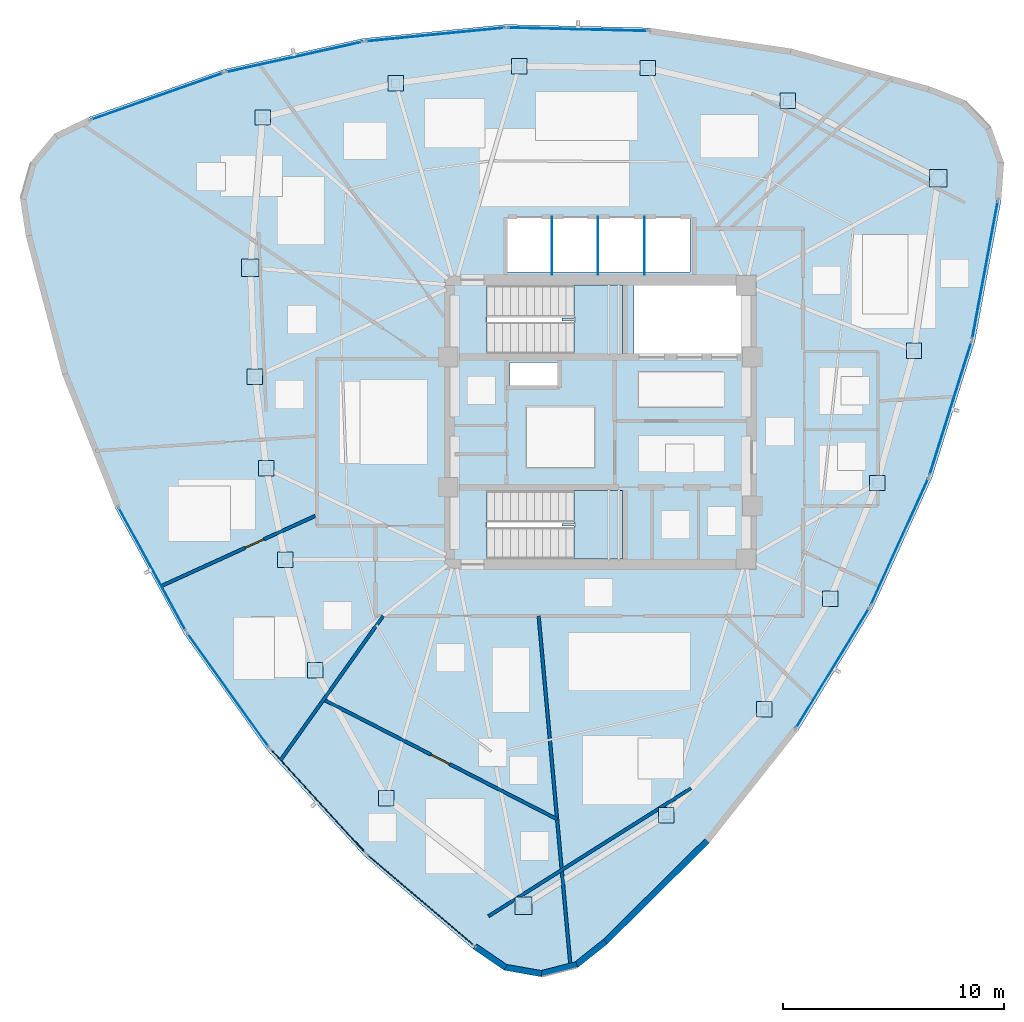
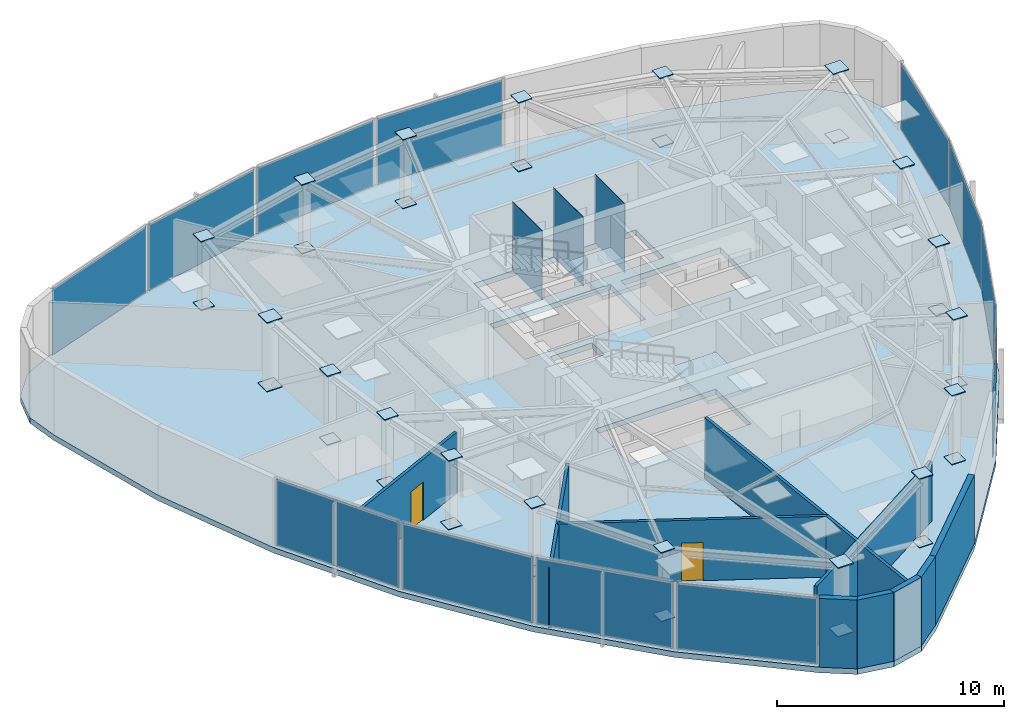
# One storey, part 7 of 13: 51 plates, 10 walls, 3 slabs, 2 doors, 2 openings, 14 elements without a shape of their own.
"""IFC4 building model written with IfcOpenShell, lengths in metres."""

from ifc_helpers import new_model, si_unit, direction, frame, frame_2d, origin, origin_2d, place, context, subcontext, project, spatial, polyline, rectangle, outline, extrude, source, transform, mapped, material, layer, layer_set, type_object, type_shapes, element, fill, aggregate, save


model = new_model("IFC4")

# Units and contexts
model_context = context("Model", 3, precision=1e-05, world=origin(), true_north=direction((0.0, 1.0)))
body_context = subcontext(model_context, "Body", "Model", "MODEL_VIEW")
ifc_project = project(units=[si_unit("LENGTHUNIT", "METRE"), si_unit("AREAUNIT", "SQUARE_METRE"), si_unit("VOLUMEUNIT", "CUBIC_METRE"), si_unit("PLANEANGLEUNIT", "RADIAN"), si_unit("MASSUNIT", "GRAM", prefix="KILO")], contexts=[model_context])

# Site, building, storey
site_placement = place(None, origin())
site = spatial("IfcSite", under=ifc_project, at=site_placement, CompositionType="ELEMENT")
building_placement = place(site_placement, origin())
building = spatial("IfcBuilding", under=site, at=building_placement, Name="Tavelor Broadcast Tower", CompositionType="ELEMENT")
storey_placement = place(building_placement, frame((0.0, 0.0, 305.5)))
storey = spatial("IfcBuildingStorey", under=building, at=storey_placement, Name="L73", CompositionType="ELEMENT", Elevation=305.5)

# Stair, slab
ifc_material_1 = material(Name="Concrete C40/50", Category="concrete")
stair_type = type_object("IfcStairType", Name="Reinforced Concrete Protected Dogleg Stair 1450 mm", PredefinedType="HALF_TURN_STAIR", material=ifc_material_1)
stair_1_placement = place(storey_placement, origin())
stair_1 = element("IfcStair", 1, at=stair_1_placement, inside=storey, type_object=stair_type, Name="L73 Protected Core Exit Stair ST1", PredefinedType="HALF_TURN_STAIR")
ifc_layer_1 = layer(ifc_material_1, 0.199951171875)
ifc_layer_set_1 = layer_set([ifc_layer_1], Name="Concrete C40/50")
slab_type_1 = type_object("IfcSlabType", Name="Reinforced Concrete Stair Half-Landing Slab 200 mm", PredefinedType="LANDING", material=ifc_layer_set_1)
slab_1_placement = place(storey_placement, frame((0.0, 0.0, 1.800048828125)))
slab_1 = element("IfcSlab", 2, at=slab_1_placement, type_object=slab_type_1, Name="ST1 landing 1", PredefinedType="LANDING", context=body_context, shape_type="SweptSolid", body=[
    extrude(outline(polyline([(48.804931640625, 49.590087890625), (48.804931640625, 48.094970703125), (51.0048828125, 48.094970703125), (51.0048828125, 51.205078125), (48.804931640625, 51.205078125), (48.804931640625, 49.7099609375), (48.264892578125, 49.7099609375), (48.264892578125, 49.590087890625), (48.804931640625, 49.590087890625)])), origin(), (0.0, 0.0, 1.0), 0.199951171875),
])
aggregate(stair_1, [slab_1])

stair_2_placement = place(storey_placement, origin())
stair_2 = element("IfcStair", 3, at=stair_2_placement, inside=storey, type_object=stair_type, Name="L73 Protected Core Exit Stair ST2", PredefinedType="HALF_TURN_STAIR")
slab_2_placement = place(storey_placement, frame((0.0, 0.0, 1.800048828125)))
slab_2 = element("IfcSlab", 4, at=slab_2_placement, type_object=slab_type_1, Name="ST2 landing 1", PredefinedType="LANDING", context=body_context, shape_type="SweptSolid", body=[
    extrude(outline(polyline([(48.804931640625, 40.2900390625), (48.804931640625, 38.794921875), (51.0048828125, 38.794921875), (51.0048828125, 41.905029296875), (48.804931640625, 41.905029296875), (48.804931640625, 40.409912109375), (48.264892578125, 40.409912109375), (48.264892578125, 40.2900390625), (48.804931640625, 40.2900390625)])), origin(), (0.0, 0.0, 1.0), 0.199951171875),
])
aggregate(stair_2, [slab_2])

# Slab
ifc_layer_2 = layer(ifc_material_1, 0.300048828125)
ifc_layer_set_2 = layer_set([ifc_layer_2], Name="Concrete C40/50")
slab_type_2 = type_object("IfcSlabType", Name="Tower Composite Floor Slab 300 mm", PredefinedType="FLOOR", material=ifc_layer_set_2)
slab_3_placement = place(storey_placement, frame((0.0, 0.0, -0.300048828125)))
element("IfcSlab", 5, at=slab_3_placement, inside=storey, type_object=slab_type_2, Name="L73 Structural Floor Slab", PredefinedType="FLOOR", context=body_context, shape_type="SweptSolid", body=[
    extrude(outline(polyline([(26.804443359375, 58.817138671875), (25.265625, 58.078369140625), (24.167236328125, 56.771484375), (23.703857421875, 55.128662109375), (23.957763671875, 53.440673828125), (25.609130859375, 47.15673828125), (28.0087890625, 41.118896484375), (31.121337890625, 35.415771484375), (34.9013671875, 30.131103515625), (39.29296875, 25.3427734375), (44.231689453125, 21.12109375), (45.64111328125, 20.157958984375), (47.32177734375, 19.860107421875), (48.976318359375, 20.2802734375), (50.311279296875, 21.343994140625), (54.927490234375, 25.916015625), (58.956787109375, 31.01318359375), (62.339599609375, 36.560302734375), (65.026123046875, 42.476318359375), (66.97705078125, 48.673583984375), (68.163818359375, 55.061767578125), (68.293212890625, 56.763916015625), (67.7109375, 58.368408203125), (66.519775390625, 59.591064453125), (64.930908203125, 60.215087890625), (58.663330078125, 61.927001953125), (52.234619140625, 62.867919921875), (45.739013671875, 63.023681640625), (39.2724609375, 62.392578125), (32.929931640625, 60.9833984375), (26.804443359375, 58.817138671875)]), holes=[polyline([(50.99609375, 41.89599609375), (50.99609375, 38.803955078125), (44.85400390625, 38.803955078125), (44.85400390625, 41.89599609375), (50.99609375, 41.89599609375)]), polyline([(48.050048828125, 47.699951171875), (48.050048828125, 46.64990234375), (45.89990234375, 46.64990234375), (45.89990234375, 47.699951171875), (48.050048828125, 47.699951171875)]), polyline([(50.99609375, 51.196044921875), (50.99609375, 48.10400390625), (44.85400390625, 48.10400390625), (44.85400390625, 51.196044921875), (50.99609375, 51.196044921875)]), polyline([(56.60009765625, 48.10009765625), (51.52001953125, 48.10009765625), (51.52001953125, 51.199951171875), (56.60009765625, 51.199951171875), (56.60009765625, 48.10009765625)]), polyline([(54.050048828125, 51.800048828125), (45.800048828125, 51.800048828125), (45.800048828125, 54.25), (54.050048828125, 54.25), (54.050048828125, 51.800048828125)])]), origin(), (0.0, 0.0, 1.0), 0.300048828125),
])

# Plates
ifc_material_2 = material(Name="Steel S460", Category="steel")
ifc_layer_3 = layer(ifc_material_2, 0.050048828125)
ifc_layer_set_3 = layer_set([ifc_layer_3], Name="Steel S460")
plate_type_1 = type_object("IfcPlateType", Name="Tube Hollow-End Cap Plate KN05 700x700x50", PredefinedType="USERDEFINED", material=ifc_layer_set_3)
shared_shape_1 = source(origin(), body_context, "Body", "SweptSolid", [
    extrude(rectangle(XDim=0.699951171875, YDim=0.699951171875, at=origin_2d()), origin(), (0.0, 0.0, 1.0), 0.054931640625),
])
for number, where, z_axis, x_axis, name in (
    (6, (34.341552734375, 47.061279296875, -0.02734375), (0.0, 0.0, 1.0), (1.0, 0.0, 0.0), "L73 Hollow End Cap Plate KN05 #2211"),
    (7, (34.341552734375, 47.061279296875, 3.67236328125), (0.0, 0.0, 1.0), (1.0, 0.0, 0.0), "L73 Hollow End Cap Plate KN05 #2212"),
    (8, (34.85400390625, 42.90185546875, -0.02734375), (0.0, 0.0, 1.0), (1.0, 0.0, 0.0), "L73 Hollow End Cap Plate KN05 #2213"),
    (9, (34.85400390625, 42.90185546875, 3.67236328125), (0.0, 0.0, 1.0), (1.0, 0.0, 0.0), "L73 Hollow End Cap Plate KN05 #2214"),
    (10, (35.716552734375, 38.757080078125, -0.02734375), (0.0, 0.0, 1.0), (1.0, 0.0, 0.0), "L73 Hollow End Cap Plate KN05 #2215"),
    (11, (35.716552734375, 38.757080078125, 3.67236328125), (0.0, 0.0, 1.0), (1.0, 0.0, 0.0), "L73 Hollow End Cap Plate KN05 #2216"),
    (12, (37.068115234375, 33.759521484375, -0.02734375), (0.0, 0.0, 1.0), (1.0, 0.0, 0.0), "L73 Hollow End Cap Plate KN05 #2217"),
    (13, (37.068115234375, 33.759521484375, 3.67236328125), (0.0, 0.0, 1.0), (1.0, 0.0, 0.0), "L73 Hollow End Cap Plate KN05 #2218"),
    (14, (40.29638671875, 27.95361328125, -0.02734375), (0.0, 0.0, 1.0), (1.0, 0.0, 0.0), "L73 Hollow End Cap Plate KN05 #2219"),
    (15, (40.29638671875, 27.95361328125, 3.67236328125), (0.0, 0.0, 1.0), (1.0, 0.0, 0.0), "L73 Hollow End Cap Plate KN05 #2220"),
    (16, (52.992919921875, 27.1767578125, -0.02734375), (0.0, 0.0, 1.0), (1.0, 0.0, 0.0), "L73 Hollow End Cap Plate KN05 #2223"),
    (17, (52.992919921875, 27.1767578125, 3.67236328125), (0.0, 0.0, 1.0), (1.0, 0.0, 0.0), "L73 Hollow End Cap Plate KN05 #2224"),
    (18, (57.431396484375, 31.9921875, -0.02734375), (0.0, 0.0, 1.0), (1.0, 0.0, 0.0), "L73 Hollow End Cap Plate KN05 #2225"),
    (19, (57.431396484375, 31.9921875, 3.67236328125), (0.0, 0.0, 1.0), (1.0, 0.0, 0.0), "L73 Hollow End Cap Plate KN05 #2226"),
    (20, (60.41748046875, 37.00439453125, -0.02734375), (0.0, 0.0, 1.0), (1.0, 0.0, 0.0), "L73 Hollow End Cap Plate KN05 #2227"),
    (21, (60.41748046875, 37.00439453125, 3.67236328125), (0.0, 0.0, 1.0), (1.0, 0.0, 0.0), "L73 Hollow End Cap Plate KN05 #2228"),
    (22, (62.543701171875, 42.240478515625, -0.02734375), (0.0, 0.0, 1.0), (1.0, 0.0, 0.0), "L73 Hollow End Cap Plate KN05 #2229"),
    (23, (62.543701171875, 42.240478515625, 3.67236328125), (0.0, 0.0, 1.0), (1.0, 0.0, 0.0), "L73 Hollow End Cap Plate KN05 #2230"),
    (24, (64.21435546875, 48.2373046875, -0.02734375), (0.0, 0.0, 1.0), (1.0, 0.0, 0.0), "L73 Hollow End Cap Plate KN05 #2231"),
    (25, (64.21435546875, 48.2373046875, 3.67236328125), (0.0, 0.0, 1.0), (1.0, 0.0, 0.0), "L73 Hollow End Cap Plate KN05 #2232"),
    (26, (58.485595703125, 59.55712890625, -0.02734375), (0.0, 0.0, 1.0), (1.0, 0.0, 0.0), "L73 Hollow End Cap Plate KN05 #2235"),
    (27, (58.485595703125, 59.55712890625, 3.67236328125), (0.0, 0.0, 1.0), (1.0, 0.0, 0.0), "L73 Hollow End Cap Plate KN05 #2236"),
    (28, (52.147216796875, 61.05078125, -0.02734375), (0.0, 0.0, 1.0), (1.0, 0.0, 0.0), "L73 Hollow End Cap Plate KN05 #2237"),
    (29, (52.147216796875, 61.05078125, 3.67236328125), (0.0, 0.0, 1.0), (1.0, 0.0, 0.0), "L73 Hollow End Cap Plate KN05 #2238"),
    (30, (46.3154296875, 61.13720703125, -0.02734375), (0.0, 0.0, 1.0), (1.0, 0.0, 0.0), "L73 Hollow End Cap Plate KN05 #2239"),
    (31, (46.3154296875, 61.13720703125, 3.67236328125), (0.0, 0.0, 1.0), (1.0, 0.0, 0.0), "L73 Hollow End Cap Plate KN05 #2240"),
    (32, (40.718017578125, 60.36083984375, -0.02734375), (0.0, 0.0, 1.0), (1.0, 0.0, 0.0), "L73 Hollow End Cap Plate KN05 #2241"),
    (33, (40.718017578125, 60.36083984375, 3.67236328125), (0.0, 0.0, 1.0), (1.0, 0.0, 0.0), "L73 Hollow End Cap Plate KN05 #2242"),
    (34, (34.689208984375, 58.80908203125, -0.02734375), (0.0, 0.0, 1.0), (1.0, 0.0, 0.0), "L73 Hollow End Cap Plate KN05 #2243"),
    (35, (34.689208984375, 58.80908203125, 3.67236328125), (0.0, 0.0, 1.0), (1.0, 0.0, 0.0), "L73 Hollow End Cap Plate KN05 #2244"),
):
    element("IfcPlate", number, at=place(storey_placement, frame(where, z_axis=z_axis, x_axis=x_axis)), inside=storey, type_object=plate_type_1, Name=name, ObjectType="CAP PLATE", PredefinedType="USERDEFINED", context=body_context, shape_type="MappedRepresentation", body=[
        mapped(shared_shape_1, transform((0.0, 0.0, 0.0), scale=1.0)),
    ])
shared_shape_2 = source(origin(), body_context, "Body", "SweptSolid", [
    extrude(rectangle(XDim=0.791015625, YDim=0.791015625, at=origin_2d()), origin(), (0.0, 0.0, 1.0), 0.054931640625),
])
type_shapes(plate_type_1, [shared_shape_1, shared_shape_2])
for number, where, z_axis, x_axis, name in (
    (36, (34.134765625, 51.995849609375, -0.02734375), (0.0, 0.0, 1.0), (1.0, 0.0, 0.0), "L73 Hollow End Cap Plate KN05 #2209"),
    (37, (34.134765625, 51.995849609375, 3.67236328125), (0.0, 0.0, 1.0), (1.0, 0.0, 0.0), "L73 Hollow End Cap Plate KN05 #2210"),
    (38, (46.5146484375, 23.08740234375, -0.02734375), (0.0, 0.0, 1.0), (1.0, 0.0, 0.0), "L73 Hollow End Cap Plate KN05 #2221"),
    (39, (46.5146484375, 23.08740234375, 3.67236328125), (0.0, 0.0, 1.0), (1.0, 0.0, 0.0), "L73 Hollow End Cap Plate KN05 #2222"),
    (40, (65.319580078125, 56.0556640625, -0.02734375), (0.0, 0.0, 1.0), (1.0, 0.0, 0.0), "L73 Hollow End Cap Plate KN05 #2233"),
    (41, (65.319580078125, 56.0556640625, 3.67236328125), (0.0, 0.0, 1.0), (1.0, 0.0, 0.0), "L73 Hollow End Cap Plate KN05 #2234"),
):
    element("IfcPlate", number, at=place(storey_placement, frame(where, z_axis=z_axis, x_axis=x_axis)), inside=storey, type_object=plate_type_1, Name=name, ObjectType="CAP PLATE", PredefinedType="USERDEFINED", context=body_context, shape_type="MappedRepresentation", body=[
        mapped(shared_shape_2, transform((0.0, 0.0, 0.0), scale=1.0)),
    ])
ifc_material_3 = material(Name="Steel S355", Category="steel")
ifc_layer_4 = layer(ifc_material_3, 0.011962890625)
ifc_layer_set_4 = layer_set([ifc_layer_4], Name="Steel S355")
plate_type_2 = type_object("IfcPlateType", Name="Hoistway Steel Separator Screen 12 mm", PredefinedType="SHEET", material=ifc_layer_set_4)
shared_shape_3 = source(origin(), body_context, "Body", "SweptSolid", [
    extrude(rectangle(XDim=0.02001953125, YDim=2.6201171875, at=origin_2d()), origin(), (0.0, 0.0, 1.0), 3.699951171875),
])
type_shapes(plate_type_2, [shared_shape_3])
for number, where, z_axis, x_axis, name in (
    (42, (47.800048828125, 52.989990234375, 0.0), (0.0, 0.0, 1.0), (1.0, 0.0, 0.0), "L73 High-Rise Hoistway Separator Screen 1"),
    (43, (49.89990234375, 52.989990234375, 0.0), (0.0, 0.0, 1.0), (1.0, 0.0, 0.0), "L73 High-Rise Hoistway Separator Screen 2"),
    (44, (52.0, 52.989990234375, 0.0), (0.0, 0.0, 1.0), (1.0, 0.0, 0.0), "L73 High-Rise Hoistway Separator Screen 3"),
):
    element("IfcPlate", number, at=place(storey_placement, frame(where, z_axis=z_axis, x_axis=x_axis)), inside=storey, type_object=plate_type_2, Name=name, PredefinedType="SHEET", context=body_context, shape_type="MappedRepresentation", body=[
        mapped(shared_shape_3, transform((0.0, 0.0, 0.0), scale=1.0)),
    ])

# Curtain wall, plate
ifc_material_4 = material(Name="Architectural Anodized Aluminium", Category="aluminium")
ifc_layer_5 = layer(ifc_material_4, 0.199951171875)
ifc_layer_set_5 = layer_set([ifc_layer_5], Name="Architectural Anodized Aluminium")
curtain_wall_type = type_object("IfcCurtainWallType", Name="Tower High-Zone Triple-Glazed Curtain Wall CW04", PredefinedType="NOTDEFINED", material=ifc_layer_set_5)
curtain_wall_1_placement = place(storey_placement, origin())
curtain_wall_1 = element("IfcCurtainWall", 45, at=curtain_wall_1_placement, inside=storey, type_object=curtain_wall_type, Name="L73 Curtain Wall CW04 Run 805", PredefinedType="NOTDEFINED")
ifc_material_5 = material(Name="High-Altitude Triple Glazing 36 mm", Category="glass")
ifc_layer_6 = layer(ifc_material_5, 0.035888671875)
ifc_layer_set_6 = layer_set([ifc_layer_6], Name="High-Altitude Triple Glazing 36 mm")
plate_type_3 = type_object("IfcPlateType", Name="CW04 Insulated Vision Glazing Panel 36 mm", PredefinedType="CURTAIN_PANEL", material=ifc_layer_set_6)
shared_shape_4 = source(origin(), body_context, "Body", "SweptSolid", [
    extrude(rectangle(XDim=6.3251953125, YDim=0.035888671875, at=origin_2d()), origin(), (0.0, 0.0, 1.0), 3.56005859375),
])
plate_1_placement = place(storey_placement, frame((29.684326171875, 38.341064453125, 0.070068359375), z_axis=(0.0, 0.0, 1.0), x_axis=(0.479053685747, -0.877785603762, 0.0)))
plate_1 = element("IfcPlate", 46, at=plate_1_placement, type_object=plate_type_3, Name="CW04 panel 1.1", PredefinedType="CURTAIN_PANEL", context=body_context, shape_type="MappedRepresentation", body=[
    mapped(shared_shape_4, transform((0.0, 0.0, 0.0), scale=1.0)),
])
aggregate(curtain_wall_1, [plate_1])

curtain_wall_2_placement = place(storey_placement, origin())
curtain_wall_2 = element("IfcCurtainWall", 47, at=curtain_wall_2_placement, inside=storey, type_object=curtain_wall_type, Name="L73 Curtain Wall CW04 Run 809", PredefinedType="NOTDEFINED")
plate_2_placement = place(storey_placement, frame((60.524658203125, 33.853271484375, 0.070068359375), z_axis=(0.0, 0.0, 1.0), x_axis=(0.520642074165, 0.853775046841, 0.0)))
plate_2 = element("IfcPlate", 48, at=plate_2_placement, type_object=plate_type_3, Name="CW04 panel 1.1", PredefinedType="CURTAIN_PANEL", context=body_context, shape_type="MappedRepresentation", body=[
    mapped(shared_shape_4, transform((0.0, 0.0, 0.0), scale=1.0)),
])
aggregate(curtain_wall_2, [plate_2])

curtain_wall_3_placement = place(storey_placement, origin())
curtain_wall_3 = element("IfcCurtainWall", 49, at=curtain_wall_3_placement, inside=storey, type_object=curtain_wall_type, Name="L73 Curtain Wall CW04 Run 813", PredefinedType="NOTDEFINED")
plate_3_placement = place(storey_placement, frame((48.990966796875, 62.8056640625, 0.070068359375), z_axis=(0.0, 0.0, 1.0), x_axis=(-0.999711833418, 0.024005210348, 0.0)))
plate_3 = element("IfcPlate", 50, at=plate_3_placement, type_object=plate_type_3, Name="CW04 panel 1.1", PredefinedType="CURTAIN_PANEL", context=body_context, shape_type="MappedRepresentation", body=[
    mapped(shared_shape_4, transform((0.0, 0.0, 0.0), scale=1.0)),
])
aggregate(curtain_wall_3, [plate_3])

curtain_wall_4_placement = place(storey_placement, origin())
curtain_wall_4 = element("IfcCurtainWall", 51, at=curtain_wall_4_placement, inside=storey, type_object=curtain_wall_type, Name="L73 Curtain Wall CW04 Run 806", PredefinedType="NOTDEFINED")
shared_shape_5 = source(origin(), body_context, "Body", "SweptSolid", [
    extrude(rectangle(XDim=6.310302734375, YDim=0.035888671875, at=origin_2d()), origin(), (0.0, 0.0, 1.0), 3.56005859375),
])
plate_4_placement = place(storey_placement, frame((33.125244140625, 32.854736328125, 0.070068359375), z_axis=(0.0, 0.0, 1.0), x_axis=(0.581786537828, -0.813341517693, 0.0)))
plate_4 = element("IfcPlate", 52, at=plate_4_placement, type_object=plate_type_3, Name="CW04 panel 1.1", PredefinedType="CURTAIN_PANEL", context=body_context, shape_type="MappedRepresentation", body=[
    mapped(shared_shape_5, transform((0.0, 0.0, 0.0), scale=1.0)),
])
aggregate(curtain_wall_4, [plate_4])

curtain_wall_5_placement = place(storey_placement, origin())
curtain_wall_5 = element("IfcCurtainWall", 53, at=curtain_wall_5_placement, inside=storey, type_object=curtain_wall_type, Name="L73 Curtain Wall CW04 Run 807", PredefinedType="NOTDEFINED")
plate_5_placement = place(storey_placement, frame((37.2001953125, 27.83154296875, 0.070068359375), z_axis=(0.0, 0.0, 1.0), x_axis=(0.675913454248, -0.736981005431, 0.0)))
plate_5 = element("IfcPlate", 54, at=plate_5_placement, type_object=plate_type_3, Name="CW04 panel 1.1", PredefinedType="CURTAIN_PANEL", context=body_context, shape_type="MappedRepresentation", body=[
    mapped(shared_shape_5, transform((0.0, 0.0, 0.0), scale=1.0)),
])
aggregate(curtain_wall_5, [plate_5])

curtain_wall_6_placement = place(storey_placement, origin())
curtain_wall_6 = element("IfcCurtainWall", 55, at=curtain_wall_6_placement, inside=storey, type_object=curtain_wall_type, Name="L73 Curtain Wall CW04 Run 810", PredefinedType="NOTDEFINED")
plate_6_placement = place(storey_placement, frame((63.555419921875, 39.576171875, 0.070068359375), z_axis=(0.0, 0.0, 1.0), x_axis=(0.413495727946, 0.910506058723, 0.0)))
plate_6 = element("IfcPlate", 56, at=plate_6_placement, type_object=plate_type_3, Name="CW04 panel 1.1", PredefinedType="CURTAIN_PANEL", context=body_context, shape_type="MappedRepresentation", body=[
    mapped(shared_shape_5, transform((0.0, 0.0, 0.0), scale=1.0)),
])
aggregate(curtain_wall_6, [plate_6])

curtain_wall_7_placement = place(storey_placement, origin())
curtain_wall_7 = element("IfcCurtainWall", 57, at=curtain_wall_7_placement, inside=storey, type_object=curtain_wall_type, Name="L73 Curtain Wall CW04 Run 814", PredefinedType="NOTDEFINED")
plate_7_placement = place(storey_placement, frame((42.519287109375, 62.56884765625, 0.070068359375), z_axis=(0.0, 0.0, 1.0), x_axis=(-0.995268968161, -0.097158020856, 0.0)))
plate_7 = element("IfcPlate", 58, at=plate_7_placement, type_object=plate_type_3, Name="CW04 panel 1.1", PredefinedType="CURTAIN_PANEL", context=body_context, shape_type="MappedRepresentation", body=[
    mapped(shared_shape_5, transform((0.0, 0.0, 0.0), scale=1.0)),
])
aggregate(curtain_wall_7, [plate_7])

curtain_wall_8_placement = place(storey_placement, origin())
curtain_wall_8 = element("IfcCurtainWall", 59, at=curtain_wall_8_placement, inside=storey, type_object=curtain_wall_type, Name="L73 Curtain Wall CW04 Run 815", PredefinedType="NOTDEFINED")
plate_8_placement = place(storey_placement, frame((36.131591796875, 61.55126953125, 0.070068359375), z_axis=(0.0, 0.0, 1.0), x_axis=(-0.976199096574, -0.216876286968, 0.0)))
plate_8 = element("IfcPlate", 60, at=plate_8_placement, type_object=plate_type_3, Name="CW04 panel 1.1", PredefinedType="CURTAIN_PANEL", context=body_context, shape_type="MappedRepresentation", body=[
    mapped(shared_shape_5, transform((0.0, 0.0, 0.0), scale=1.0)),
])
aggregate(curtain_wall_8, [plate_8])

curtain_wall_9_placement = place(storey_placement, origin())
curtain_wall_9 = element("IfcCurtainWall", 61, at=curtain_wall_9_placement, inside=storey, type_object=curtain_wall_type, Name="L73 Curtain Wall CW04 Run 808", PredefinedType="NOTDEFINED")
shared_shape_6 = source(origin(), body_context, "Body", "SweptSolid", [
    extrude(rectangle(XDim=6.326171875, YDim=0.035888671875, at=origin_2d()), origin(), (0.0, 0.0, 1.0), 3.56005859375),
])
plate_9_placement = place(storey_placement, frame((41.859375, 23.333251953125, 0.070068359375), z_axis=(0.0, 0.0, 1.0), x_axis=(0.760143396363, -0.649755351625, 0.0)))
plate_9 = element("IfcPlate", 62, at=plate_9_placement, type_object=plate_type_3, Name="CW04 panel 1.1", PredefinedType="CURTAIN_PANEL", context=body_context, shape_type="MappedRepresentation", body=[
    mapped(shared_shape_6, transform((0.0, 0.0, 0.0), scale=1.0)),
])
aggregate(curtain_wall_9, [plate_9])

curtain_wall_10_placement = place(storey_placement, origin())
curtain_wall_10 = element("IfcCurtainWall", 63, at=curtain_wall_10_placement, inside=storey, type_object=curtain_wall_type, Name="L73 Curtain Wall CW04 Run 812", PredefinedType="NOTDEFINED")
plate_10_placement = place(storey_placement, frame((67.434326171875, 51.901123046875, 0.070068359375), z_axis=(0.0, 0.0, 1.0), x_axis=(0.182657971102, 0.983176518023, 0.0)))
plate_10 = element("IfcPlate", 64, at=plate_10_placement, type_object=plate_type_3, Name="CW04 panel 1.1", PredefinedType="CURTAIN_PANEL", context=body_context, shape_type="MappedRepresentation", body=[
    mapped(shared_shape_6, transform((0.0, 0.0, 0.0), scale=1.0)),
])
aggregate(curtain_wall_10, [plate_10])

curtain_wall_11_placement = place(storey_placement, origin())
curtain_wall_11 = element("IfcCurtainWall", 65, at=curtain_wall_11_placement, inside=storey, type_object=curtain_wall_type, Name="L73 Curtain Wall CW04 Run 816", PredefinedType="NOTDEFINED")
plate_11_placement = place(storey_placement, frame((29.90625, 59.765625, 0.070068359375), z_axis=(0.0, 0.0, 1.0), x_axis=(-0.942776579867, -0.333425134706, 0.0)))
plate_11 = element("IfcPlate", 66, at=plate_11_placement, type_object=plate_type_3, Name="CW04 panel 1.1", PredefinedType="CURTAIN_PANEL", context=body_context, shape_type="MappedRepresentation", body=[
    mapped(shared_shape_6, transform((0.0, 0.0, 0.0), scale=1.0)),
])
aggregate(curtain_wall_11, [plate_11])

curtain_wall_12_placement = place(storey_placement, origin())
curtain_wall_12 = element("IfcCurtainWall", 67, at=curtain_wall_12_placement, inside=storey, type_object=curtain_wall_type, Name="L73 Curtain Wall CW04 Run 811", PredefinedType="NOTDEFINED")
shared_shape_7 = source(origin(), body_context, "Body", "SweptSolid", [
    extrude(rectangle(XDim=6.31005859375, YDim=0.035888671875, at=origin_2d()), origin(), (0.0, 0.0, 1.0), 3.56005859375),
])
type_shapes(plate_type_3, [shared_shape_4, shared_shape_5, shared_shape_6, shared_shape_7])
plate_12_placement = place(storey_placement, frame((65.8681640625, 45.616943359375, 0.070068359375), z_axis=(0.0, 0.0, 1.0), x_axis=(0.300272030878, 0.953853609037, 0.0)))
plate_12 = element("IfcPlate", 68, at=plate_12_placement, type_object=plate_type_3, Name="CW04 panel 1.1", PredefinedType="CURTAIN_PANEL", context=body_context, shape_type="MappedRepresentation", body=[
    mapped(shared_shape_7, transform((0.0, 0.0, 0.0), scale=1.0)),
])
aggregate(curtain_wall_12, [plate_12])

# Walls
ifc_material_6 = material(Name="Precast Concrete C40/50", Category="concrete")
ifc_layer_7 = layer(ifc_material_6, 0.280029296875)
ifc_layer_set_7 = layer_set([ifc_layer_7], Name="Precast Concrete C40/50")
wall_type_1 = type_object("IfcWallType", Name="Insulated Precast Terracotta Facade Wall 280 mm", PredefinedType="STANDARD", material=ifc_layer_set_7)
wall_1_placement = place(storey_placement, frame((44.313720703125, 21.234619140625, 0.0), z_axis=(0.0, 0.0, 1.0), x_axis=(0.82558737863, -0.564274295221, 0.0)))
element("IfcWall", 69, at=wall_1_placement, inside=storey, type_object=wall_type_1, Name="L73 Rounded Corner Structural Cladding Pier 11", PredefinedType="STANDARD", context=body_context, shape_type="SweptSolid", body=[
    extrude(rectangle(XDim=1.688232421875, YDim=0.280029296875, at=frame_2d((0.84423828125, 0.0))), origin(), (0.0, 0.0, 1.0), 3.699951171875),
])
wall_2_placement = place(storey_placement, frame((45.680419921875, 20.293212890625, 0.0), z_axis=(0.0, 0.0, 1.0), x_axis=(0.984641035758, -0.174591038432, 0.0)))
element("IfcWall", 70, at=wall_2_placement, inside=storey, type_object=wall_type_1, Name="L73 Rounded Corner Structural Cladding Pier 12", PredefinedType="STANDARD", context=body_context, shape_type="SweptSolid", body=[
    extrude(rectangle(XDim=1.676513671875, YDim=0.280029296875, at=frame_2d((0.83837890625, 0.0))), origin(), (0.0, 0.0, 1.0), 3.699951171875),
])
wall_3_placement = place(storey_placement, frame((47.302001953125, 19.99951171875, 0.0), z_axis=(0.0, 0.0, 1.0), x_axis=(0.96921918956, 0.246199436615, 0.0)))
element("IfcWall", 71, at=wall_3_placement, inside=storey, type_object=wall_type_1, Name="L73 Rounded Corner Structural Cladding Pier 13", PredefinedType="STANDARD", context=body_context, shape_type="SweptSolid", body=[
    extrude(rectangle(XDim=1.6767578125, YDim=0.280029296875, at=frame_2d((0.83837890625, 0.0))), origin(), (0.0, 0.0, 1.0), 3.699951171875),
])
wall_4_placement = place(storey_placement, frame((48.90087890625, 20.399169921875, 0.0), z_axis=(0.0, 0.0, 1.0), x_axis=(0.78208690631, 0.623169375835, 0.0)))
element("IfcWall", 72, at=wall_4_placement, inside=storey, type_object=wall_type_1, Name="L73 Rounded Corner Structural Cladding Pier 14", PredefinedType="STANDARD", context=body_context, shape_type="SweptSolid", body=[
    extrude(rectangle(XDim=1.69921875, YDim=0.280029296875, at=frame_2d((0.849609375, 0.0))), origin(), (0.0, 0.0, 1.0), 3.699951171875),
])
wall_5_placement = place(storey_placement, frame((50.20751953125, 21.438232421875, 0.0), z_axis=(0.0, 0.0, 1.0), x_axis=(0.710510679631, 0.703686417469, 0.0)))
element("IfcWall", 73, at=wall_5_placement, inside=storey, type_object=wall_type_1, Name="L73 Rounded Corner Structural Cladding Pier 15", PredefinedType="STANDARD", context=body_context, shape_type="SweptSolid", body=[
    extrude(rectangle(XDim=6.51123046875, YDim=0.280029296875, at=frame_2d((3.255615234375, 0.0))), origin(), (0.0, 0.0, 1.0), 3.699951171875),
])
ifc_material_7 = material(Name="Gypsum Acoustic Plasterboard 150 mm", Category="gypsum")
ifc_layer_8 = layer(ifc_material_7, 0.14990234375)
ifc_layer_set_8 = layer_set([ifc_layer_8], Name="Gypsum Acoustic Plasterboard 150 mm")
wall_type_2 = type_object("IfcWallType", Name="Interior Acoustic Partition Wall 150 mm", PredefinedType="PARTITIONING", material=ifc_layer_set_8)
wall_6_placement = place(storey_placement, frame((44.9267578125, 22.60546875, 0.0), z_axis=(0.0, 0.0, 1.0), x_axis=(0.845624548895, 0.533778158326, 0.0)))
element("IfcWall", 74, at=wall_6_placement, inside=storey, type_object=wall_type_2, Name="L73 Corner Tube Brace Furring Wall 2", PredefinedType="PARTITIONING", context=body_context, shape_type="SweptSolid", body=[
    extrude(rectangle(XDim=10.861083984375, YDim=0.14990234375, at=frame_2d((5.4306640625, 0.0))), origin(), (0.0, 0.0, 1.0), 3.22509765625),
])

# Wall, opening, door
wall_7_placement = place(storey_placement, frame((37.080078125, 40.752685546875, 0.0), z_axis=(0.0, 0.0, 1.0), x_axis=(-0.909963083835, -0.414689264458, 0.0)))
wall_7 = element("IfcWall", 75, at=wall_7_placement, inside=storey, type_object=wall_type_2, Name="L73 Radial Compartment Wall 01", PredefinedType="PARTITIONING", context=body_context, shape_type="SweptSolid", body=[
    extrude(rectangle(XDim=7.677001953125, YDim=0.14990234375, at=frame_2d((3.83837890625, 0.0))), origin(), (0.0, 0.0, 1.0), 3.27490234375),
])
opening_1_placement = place(wall_7_placement, frame((2.550048828125, 0.0, 0.0)))
opening_1 = element("IfcOpeningElement", 76, at=opening_1_placement, cuts=wall_7, Name="Opening DR18", PredefinedType="OPENING", context=body_context, shape_type="SweptSolid", body=[
    extrude(rectangle(XDim=0.949951171875, YDim=2.050048828125, at=frame_2d((0.47509765625, 1.02490234375))), frame((0.0, 0.0849609375, 0.0), z_axis=(0.0, -1.0, 0.0), x_axis=(1.0, 0.0, 0.0)), (0.0, 0.0, 1.0), 0.169921875),
])
ifc_material_8 = material(Name="Timber Solid Core Hardwood", Category="wood")
door_type_1 = type_object("IfcDoorType", Name="Corridor Rated Compartment Door 950x2050", OperationType="NOTDEFINED", PredefinedType="DOOR", material=ifc_material_8)
door_1_placement = place(opening_1_placement, origin())
door_1 = element("IfcDoor", 77, at=door_1_placement, inside=storey, type_object=door_type_1, Name="L73 Suite Connecting Door 4", OperationType="SINGLE_SWING_LEFT", OverallHeight=2.050048828125, OverallWidth=0.949951171875, PredefinedType="DOOR", context=body_context, shape_type="SweptSolid", body=[
    extrude(rectangle(XDim=0.949951171875, YDim=2.050048828125, at=frame_2d((0.47509765625, 1.02490234375))), frame((0.0, 0.02490234375, 0.0), z_axis=(0.0, -1.0, 0.0), x_axis=(1.0, 0.0, 0.0)), (0.0, 0.0, 1.0), 0.050048828125),
])
fill(opening_1, door_1)

# Walls
wall_8_placement = place(storey_placement, frame((40.154296875, 36.219970703125, 0.0), z_axis=(0.0, 0.0, 1.0), x_axis=(-0.579670439599, -0.814851017951, 0.0)))
element("IfcWall", 78, at=wall_8_placement, inside=storey, type_object=wall_type_2, Name="L73 Radial Compartment Wall 02", PredefinedType="PARTITIONING", context=body_context, shape_type="SweptSolid", body=[
    extrude(rectangle(XDim=8.033935546875, YDim=0.14990234375, at=frame_2d((4.01708984375, 0.0))), origin(), (0.0, 0.0, 1.0), 3.22509765625),
])
wall_9_placement = place(storey_placement, frame((47.19921875, 36.219970703125, 0.0), z_axis=(0.0, 0.0, 1.0), x_axis=(0.090677850215, -0.995880277684, 0.0)))
element("IfcWall", 79, at=wall_9_placement, inside=storey, type_object=wall_type_2, Name="L73 Radial Compartment Wall 03", PredefinedType="PARTITIONING", context=body_context, shape_type="SweptSolid", body=[
    extrude(rectangle(XDim=15.955078125, YDim=0.14990234375, at=frame_2d((7.9775390625, 0.0))), origin(), (0.0, 0.0, 1.0), 3.27490234375),
])

# Wall, opening, door
wall_10_placement = place(storey_placement, frame((37.453125, 32.423095703125, 0.0), z_axis=(0.0, 0.0, 1.0), x_axis=(0.890137010024, -0.455692992469, 0.0)))
wall_10 = element("IfcWall", 80, at=wall_10_placement, inside=storey, type_object=wall_type_2, Name="L73 Suite Chord Partition Wall 01", PredefinedType="PARTITIONING", context=body_context, shape_type="SweptSolid", body=[
    extrude(rectangle(XDim=11.8916015625, YDim=0.14990234375, at=frame_2d((5.94580078125, 0.0))), origin(), (0.0, 0.0, 1.0), 3.27490234375),
])
opening_2_placement = place(wall_10_placement, frame((5.470703125, 0.0, 0.0)))
opening_2 = element("IfcOpeningElement", 81, at=opening_2_placement, cuts=wall_10, Name="Opening DR23", PredefinedType="OPENING", context=body_context, shape_type="SweptSolid", body=[
    extrude(rectangle(XDim=0.949951171875, YDim=2.050048828125, at=frame_2d((0.47509765625, 1.02490234375))), frame((0.0, 0.0849609375, 0.0), z_axis=(0.0, -1.0, 0.0), x_axis=(1.0, 0.0, 0.0)), (0.0, 0.0, 1.0), 0.169921875),
])
door_type_2 = type_object("IfcDoorType", Name="Editorial Room Acoustic Door 950x2050", OperationType="NOTDEFINED", PredefinedType="DOOR", material=ifc_material_8)
door_2_placement = place(opening_2_placement, origin())
door_2 = element("IfcDoor", 82, at=door_2_placement, inside=storey, type_object=door_type_2, Name="L73 Outer Suite Partition Door 1", OperationType="SINGLE_SWING_RIGHT", OverallHeight=2.050048828125, OverallWidth=0.949951171875, PredefinedType="DOOR", context=body_context, shape_type="SweptSolid", body=[
    extrude(rectangle(XDim=0.949951171875, YDim=2.050048828125, at=frame_2d((0.47509765625, 1.02490234375))), frame((0.0, 0.02490234375, 0.0), z_axis=(0.0, -1.0, 0.0), x_axis=(1.0, 0.0, 0.0)), (0.0, 0.0, 1.0), 0.050048828125),
])
fill(opening_2, door_2)

save(model, "model.ifc")
